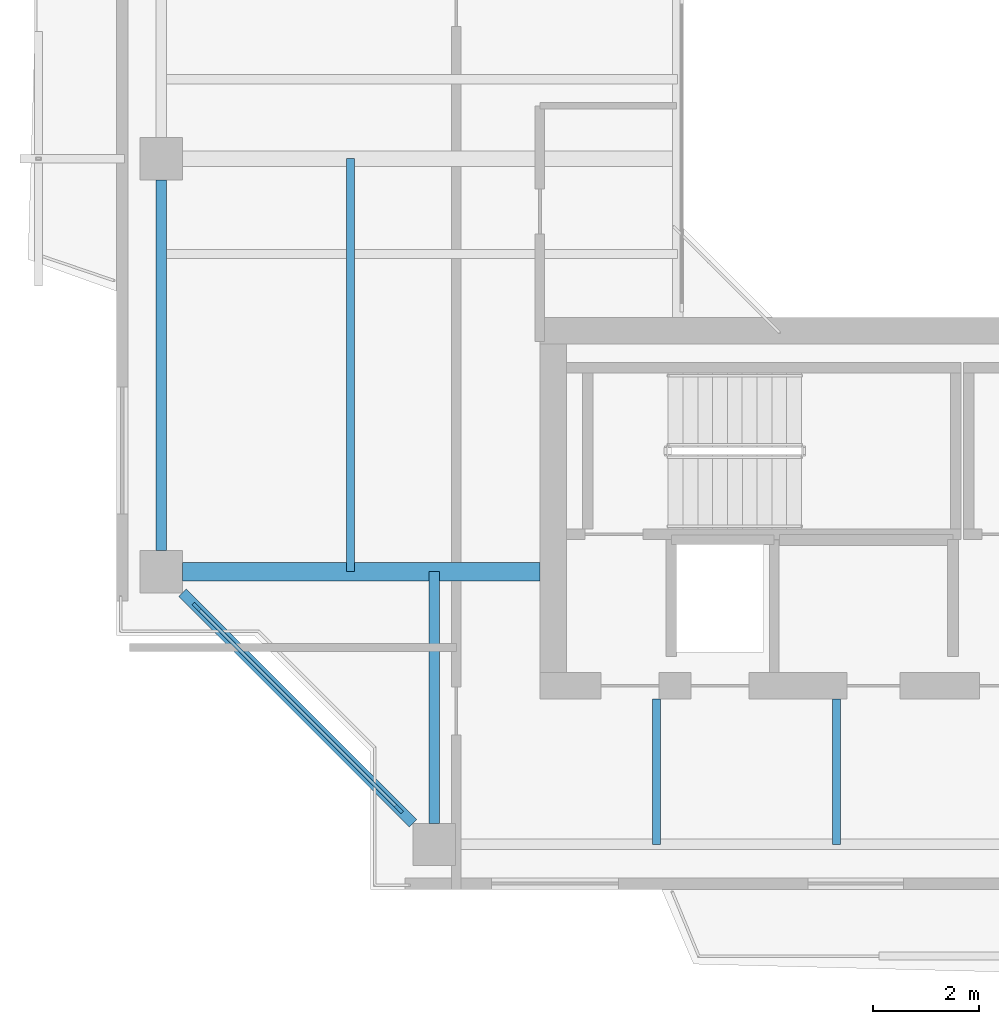
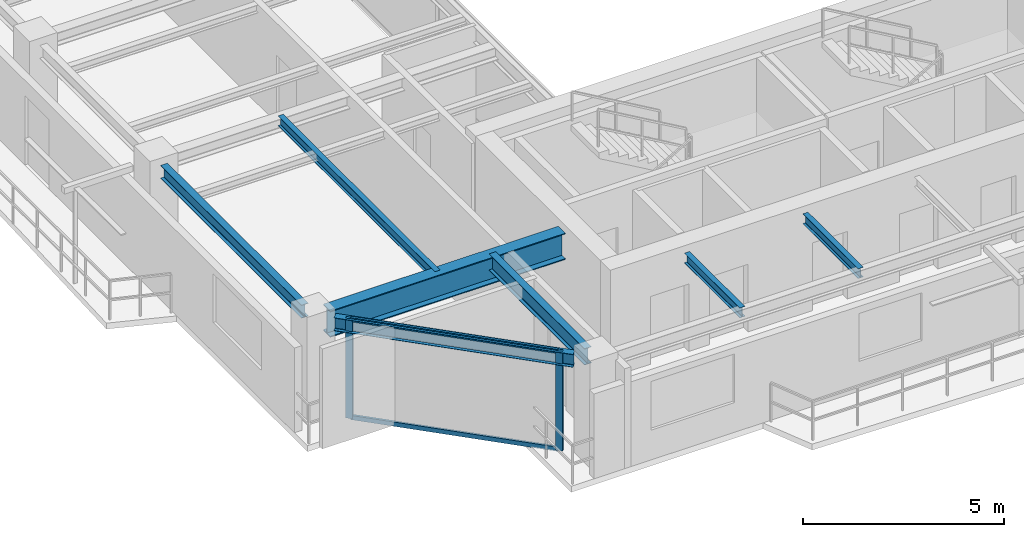
# One storey, part 2 of 16: 7 beams, 4 members, 1 element without a shape of its own.
"""IFC4 building model written with IfcOpenShell, lengths in metres."""

from ifc_helpers import new_model, si_unit, direction, frame, origin, origin_2d, place, context, subcontext, project, spatial, rectangle, i_section, extrude, source, transform, mapped, material, layer, layer_set, material_profile, profile_set, type_object, element, aggregate, save


model = new_model("IFC4")

# Units and contexts
model_context = context("Model", 3, precision=1e-05, world=origin(), true_north=direction((0.0, 1.0)))
body_context = subcontext(model_context, "Body", "Model", "MODEL_VIEW")
ifc_project = project(units=[si_unit("LENGTHUNIT", "METRE"), si_unit("AREAUNIT", "SQUARE_METRE"), si_unit("VOLUMEUNIT", "CUBIC_METRE"), si_unit("PLANEANGLEUNIT", "RADIAN"), si_unit("MASSUNIT", "GRAM", prefix="KILO"), si_unit("THERMODYNAMICTEMPERATUREUNIT", "KELVIN"), si_unit("POWERUNIT", "WATT")], contexts=[model_context])

# Site, building, storey
site_placement = place(None, origin())
site = spatial("IfcSite", under=ifc_project, at=site_placement, CompositionType="ELEMENT")
building_placement = place(site_placement, origin())
building = spatial("IfcBuilding", under=site, at=building_placement, Name="Qiaomeng Ring Towers", CompositionType="ELEMENT")
storey_placement = place(building_placement, frame((0.0, 0.0, 229.5)))
storey = spatial("IfcBuildingStorey", under=building, at=storey_placement, Name="L67", CompositionType="ELEMENT", Elevation=229.5)

# Beams
ifc_material_1 = material(Name="Steel Q355B", Category="steel")
ifc_material_profile_1 = material_profile(ifc_material_1, i_section(OverallWidth=0.198974609375, OverallDepth=0.39599609375, WebThickness=0.007080078125, FlangeThickness=0.010986328125, FilletRadius=0.01611328125, at=origin_2d()), Name="HN 396x199x7x11")
ifc_profile_set_1 = profile_set([ifc_material_profile_1], Name="Steel Q355B")
beam_type_1 = type_object("IfcBeamType", Name="STR-BM-HN396", PredefinedType="SPANDREL", material=ifc_profile_set_1)
shared_shape_1 = source(origin(), body_context, "Body", "SweptSolid", [
    extrude(i_section(OverallWidth=0.198974609375, OverallDepth=0.39599609375, WebThickness=0.007080078125, FlangeThickness=0.010986328125, FilletRadius=0.01611328125, at=origin_2d()), origin(), (0.0, 0.0, 1.0), 6.154052734375),
])
beam_1_placement = place(storey_placement, frame((3.44921875, 11.80078125, 2.83203125), z_axis=(0.707106781187, -0.707106781187, 0.0), x_axis=(0.707106781187, 0.707106781187, 0.0)))
element("IfcBeam", 1, at=beam_1_placement, inside=storey, type_object=beam_type_1, Name="L67 beam STR-SP-L67-T1-W1-S1", PredefinedType="SPANDREL", context=body_context, shape_type="MappedRepresentation", body=[
    mapped(shared_shape_1, transform((0.0, 0.0, 0.0), x_axis=(1.0, 0.0, 0.0), y_axis=(0.0, 1.0, 0.0), z_axis=(0.0, 0.0, 1.0), scale=1.0)),
])
shared_shape_2 = source(origin(), body_context, "Body", "SweptSolid", [
    extrude(i_section(OverallWidth=0.198974609375, OverallDepth=0.39599609375, WebThickness=0.007080078125, FlangeThickness=0.010986328125, FilletRadius=0.01611328125, at=origin_2d()), origin(), (0.0, 0.0, 1.0), 7.001953125),
])
beam_2_placement = place(storey_placement, frame((3.050048828125, 19.60107421875, 2.83203125), z_axis=(0.0, -1.0, 0.0), x_axis=(1.0, 0.0, 0.0)))
element("IfcBeam", 2, at=beam_2_placement, inside=storey, type_object=beam_type_1, Name="L67 beam STR-SP-L67-T1-W2-W1", PredefinedType="SPANDREL", context=body_context, shape_type="MappedRepresentation", body=[
    mapped(shared_shape_2, transform((0.0, 0.0, 0.0), x_axis=(1.0, 0.0, 0.0), y_axis=(0.0, 1.0, 0.0), z_axis=(0.0, 0.0, 1.0), scale=1.0)),
])
ifc_material_2 = material(Name="Steel Q390GJC", Category="steel")
ifc_material_profile_2 = material_profile(ifc_material_2, i_section(OverallWidth=0.35009765625, OverallDepth=0.800048828125, WebThickness=0.01611328125, FlangeThickness=0.028076171875, at=origin_2d()), Name="WH 800x350x16x28")
ifc_profile_set_2 = profile_set([ifc_material_profile_2], Name="Steel Q390GJC")
beam_type_2 = type_object("IfcBeamType", Name="STR-BM-WH800", PredefinedType="BEAM", material=ifc_profile_set_2)
shared_shape_3 = source(origin(), body_context, "Body", "SweptSolid", [
    extrude(i_section(OverallWidth=0.35009765625, OverallDepth=0.800048828125, WebThickness=0.01611328125, FlangeThickness=0.028076171875, at=origin_2d()), origin(), (0.0, 0.0, 1.0), 6.7509765625),
])
beam_3_placement = place(storey_placement, frame((3.448974609375, 12.199951171875, 2.6298828125), z_axis=(1.0, 0.0, 0.0), x_axis=(0.0, 1.0, 0.0)))
element("IfcBeam", 3, at=beam_3_placement, inside=storey, type_object=beam_type_2, Name="L67 beam STR-BM-L67-T1-RAD-W1", PredefinedType="BEAM", context=body_context, shape_type="MappedRepresentation", body=[
    mapped(shared_shape_3, transform((0.0, 0.0, 0.0), x_axis=(1.0, 0.0, 0.0), y_axis=(0.0, 1.0, 0.0), z_axis=(0.0, 0.0, 1.0), scale=1.0)),
])
ifc_material_profile_3 = material_profile(ifc_material_1, i_section(OverallWidth=0.14990234375, OverallDepth=0.300048828125, WebThickness=0.006591796875, FlangeThickness=0.009033203125, FilletRadius=0.012939453125, at=origin_2d()), Name="HN 300x150x6.5x9")
ifc_profile_set_3 = profile_set([ifc_material_profile_3], Name="Steel Q355B")
beam_type_3 = type_object("IfcBeamType", Name="STR-BM-HN300", PredefinedType="JOIST", material=ifc_profile_set_3)
shared_shape_4 = source(origin(), body_context, "Body", "SweptSolid", [
    extrude(i_section(OverallWidth=0.14990234375, OverallDepth=0.300048828125, WebThickness=0.006591796875, FlangeThickness=0.009033203125, FilletRadius=0.012939453125, at=origin_2d()), origin(), (0.0, 0.0, 1.0), 2.75),
])
for number, where, z_axis, x_axis, name in (
    (4, (12.39990234375, 7.050048828125, 2.8798828125), (0.0, 1.0, 0.0), (-1.0, 0.0, 0.0), "L67 beam STR-JST-L67-T1S-1"),
    (5, (15.800048828125, 7.050048828125, 2.8798828125), (0.0, 1.0, 0.0), (-1.0, 0.0, 0.0), "L67 beam STR-JST-L67-T1S-2"),
):
    element("IfcBeam", number, at=place(storey_placement, frame(where, z_axis=z_axis, x_axis=x_axis)), inside=storey, type_object=beam_type_3, Name=name, PredefinedType="JOIST", context=body_context, shape_type="MappedRepresentation", body=[
        mapped(shared_shape_4, transform((0.0, 0.0, 0.0), x_axis=(1.0, 0.0, 0.0), y_axis=(0.0, 1.0, 0.0), z_axis=(0.0, 0.0, 1.0), scale=1.0)),
    ])
shared_shape_5 = source(origin(), body_context, "Body", "SweptSolid", [
    extrude(i_section(OverallWidth=0.14990234375, OverallDepth=0.300048828125, WebThickness=0.006591796875, FlangeThickness=0.009033203125, FilletRadius=0.012939453125, at=origin_2d()), origin(), (0.0, 0.0, 1.0), 7.800048828125),
])
beam_4_placement = place(storey_placement, frame((6.625, 12.199951171875, 2.8798828125), z_axis=(0.0, 1.0, 0.0), x_axis=(-1.0, 0.0, 0.0)))
element("IfcBeam", 6, at=beam_4_placement, inside=storey, type_object=beam_type_3, Name="L67 beam STR-JST-L67-T1C-WS", PredefinedType="JOIST", context=body_context, shape_type="MappedRepresentation", body=[
    mapped(shared_shape_5, transform((0.0, 0.0, 0.0), x_axis=(1.0, 0.0, 0.0), y_axis=(0.0, 1.0, 0.0), z_axis=(0.0, 0.0, 1.0), scale=1.0)),
])
ifc_material_profile_4 = material_profile(ifc_material_1, i_section(OverallWidth=0.198974609375, OverallDepth=0.49609375, WebThickness=0.009033203125, FlangeThickness=0.013916015625, FilletRadius=0.01806640625, at=origin_2d()), Name="HN 496x199x9x14")
ifc_profile_set_4 = profile_set([ifc_material_profile_4], Name="Steel Q355B")
beam_type_4 = type_object("IfcBeamType", Name="STR-BM-HN496", PredefinedType="BEAM", material=ifc_profile_set_4)
shared_shape_6 = source(origin(), body_context, "Body", "SweptSolid", [
    extrude(i_section(OverallWidth=0.198974609375, OverallDepth=0.49609375, WebThickness=0.009033203125, FlangeThickness=0.013916015625, FilletRadius=0.01806640625, at=origin_2d()), origin(), (0.0, 0.0, 1.0), 4.7509765625),
])
beam_5_placement = place(storey_placement, frame((8.199951171875, 7.448974609375, 2.781982421875), z_axis=(0.0, 1.0, 0.0), x_axis=(-1.0, 0.0, 0.0)))
element("IfcBeam", 7, at=beam_5_placement, inside=storey, type_object=beam_type_4, Name="L67 beam STR-BM-L67-T1-RAD-S1", PredefinedType="BEAM", context=body_context, shape_type="MappedRepresentation", body=[
    mapped(shared_shape_6, transform((0.0, 0.0, 0.0), x_axis=(1.0, 0.0, 0.0), y_axis=(0.0, 1.0, 0.0), z_axis=(0.0, 0.0, 1.0), scale=1.0)),
])

# Curtain wall, members
ifc_material_3 = material(Name="Fluorocarbon dark-grey aluminium", Category="aluminium")
ifc_layer = layer(ifc_material_3, 0.14990234375, Name="Fluorocarbon dark-grey aluminium")
ifc_layer_set = layer_set([ifc_layer], Name="Fluorocarbon dark-grey aluminium")
curtain_wall_type = type_object("IfcCurtainWallType", Name="ARC-CW-3", PredefinedType="NOTDEFINED", material=ifc_layer_set)
curtain_wall_placement = place(storey_placement, origin())
curtain_wall = element("IfcCurtainWall", 8, at=curtain_wall_placement, inside=storey, type_object=curtain_wall_type, Name="L67 Curtain Wall CW3", PredefinedType="NOTDEFINED")
ifc_material_profile_5 = material_profile(ifc_material_3, rectangle(XDim=0.070068359375, YDim=0.179931640625, at=origin_2d()), Name="ALU MULL 70x180")
ifc_profile_set_5 = profile_set([ifc_material_profile_5], Name="Fluorocarbon dark-grey aluminium")
member_type_1 = type_object("IfcMemberType", Name="ARC-CWM-160", PredefinedType="MULLION", material=ifc_profile_set_5)
shared_shape_7 = source(origin(), body_context, "Body", "SweptSolid", [
    extrude(rectangle(XDim=0.070068359375, YDim=0.179931640625, at=origin_2d()), origin(), (0.0, 0.0, 1.0), 3.030029296875),
])
member_1_placement = place(storey_placement, frame((3.71484375, 11.53515625, 0.0), z_axis=(0.0, 0.0, 1.0), x_axis=(0.707106781187, 0.707106781187, 0.0)))
member_1 = element("IfcMember", 9, at=member_1_placement, type_object=member_type_1, Name="CW3 mullion 1", PredefinedType="MULLION", context=body_context, shape_type="MappedRepresentation", body=[
    mapped(shared_shape_7, transform((0.0, 0.0, 0.0), x_axis=(1.0, 0.0, 0.0), y_axis=(0.0, 1.0, 0.0), z_axis=(0.0, 0.0, 1.0), scale=1.0)),
])
member_2_placement = place(storey_placement, frame((7.53515625, 7.71484375, 0.0), z_axis=(0.0, 0.0, 1.0), x_axis=(0.707106781187, 0.707106781187, 0.0)))
member_2 = element("IfcMember", 10, at=member_2_placement, type_object=member_type_1, Name="CW3 mullion 2", PredefinedType="MULLION", context=body_context, shape_type="MappedRepresentation", body=[
    mapped(shared_shape_7, transform((0.0, 0.0, 0.0), x_axis=(1.0, 0.0, 0.0), y_axis=(0.0, 1.0, 0.0), z_axis=(0.0, 0.0, 1.0), scale=1.0)),
])
ifc_material_profile_6 = material_profile(ifc_material_3, rectangle(XDim=0.06494140625, YDim=0.1298828125, at=origin_2d()), Name="ALU TRAN 65x130")
ifc_profile_set_6 = profile_set([ifc_material_profile_6], Name="Fluorocarbon dark-grey aluminium")
member_type_2 = type_object("IfcMemberType", Name="ARC-CWT-120", PredefinedType="USERDEFINED", material=ifc_profile_set_6)
shared_shape_8 = source(origin(), body_context, "Body", "SweptSolid", [
    extrude(rectangle(XDim=0.06494140625, YDim=0.1298828125, at=origin_2d()), origin(), (0.0, 0.0, 1.0), 5.3330078125),
])
member_3_placement = place(storey_placement, frame((3.739501953125, 11.510498046875, 0.032470703125), z_axis=(0.707106781187, -0.707106781187, 0.0), x_axis=(0.707106781187, 0.707106781187, 0.0)))
member_3 = element("IfcMember", 11, at=member_3_placement, type_object=member_type_2, Name="CW3 transom 1.1", ObjectType="TRANSOM", PredefinedType="USERDEFINED", context=body_context, shape_type="MappedRepresentation", body=[
    mapped(shared_shape_8, transform((0.0, 0.0, 0.0), x_axis=(1.0, 0.0, 0.0), y_axis=(0.0, 1.0, 0.0), z_axis=(0.0, 0.0, 1.0), scale=1.0)),
])
member_4_placement = place(storey_placement, frame((3.739501953125, 11.510498046875, 2.99755859375), z_axis=(0.707106781187, -0.707106781187, 0.0), x_axis=(0.707106781187, 0.707106781187, 0.0)))
member_4 = element("IfcMember", 12, at=member_4_placement, type_object=member_type_2, Name="CW3 transom 1.2", ObjectType="TRANSOM", PredefinedType="USERDEFINED", context=body_context, shape_type="MappedRepresentation", body=[
    mapped(shared_shape_8, transform((0.0, 0.0, 0.0), x_axis=(1.0, 0.0, 0.0), y_axis=(0.0, 1.0, 0.0), z_axis=(0.0, 0.0, 1.0), scale=1.0)),
])
aggregate(curtain_wall, [member_1, member_2, member_3, member_4])

save(model, "model.ifc")
